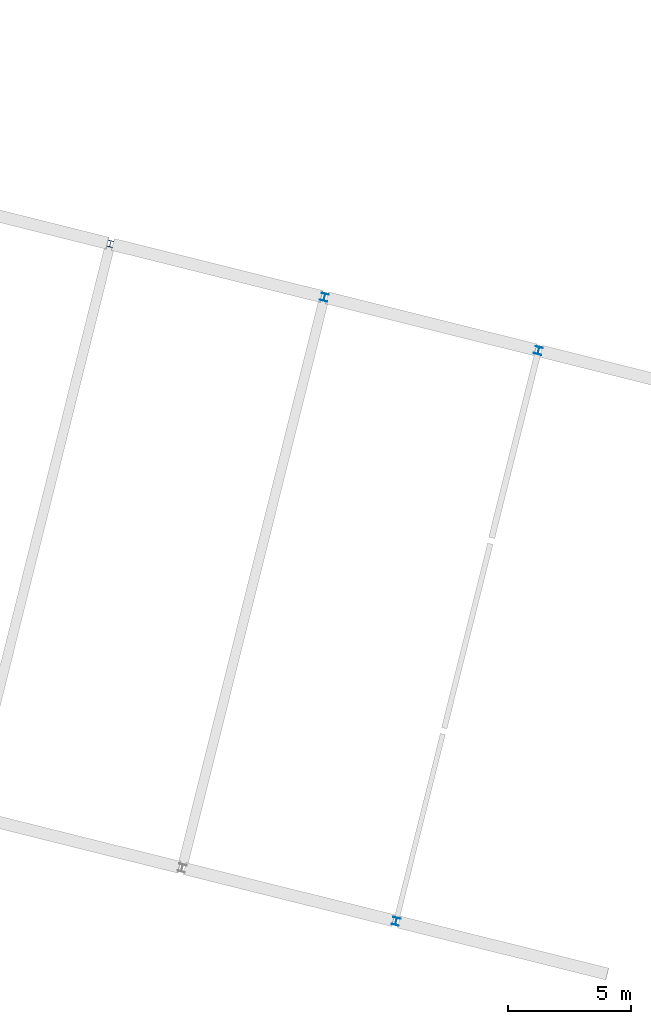
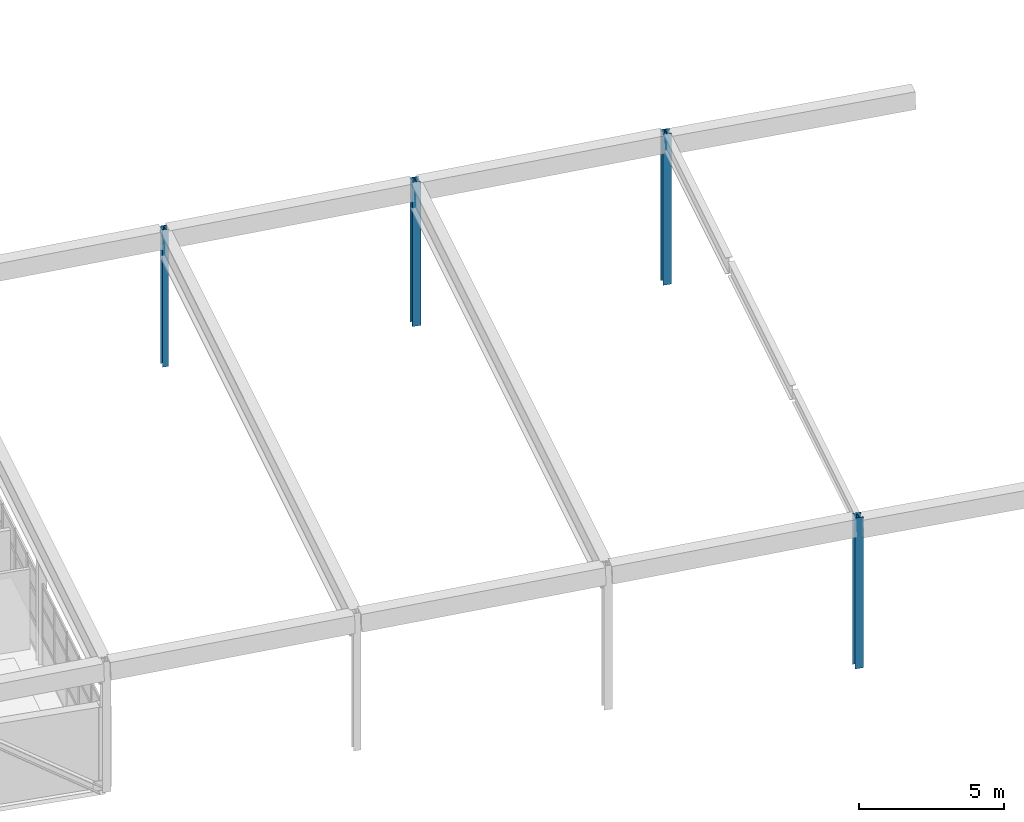
# One storey, part 5 of 27: 4 columns.
"""IFC4 building model written with IfcOpenShell, lengths in metres."""

from ifc_helpers import new_model, si_unit, direction, frame, origin, origin_2d, place, context, subcontext, project, spatial, i_section, extrude, material, material_profile, profile_set, type_object, element, save


model = new_model("IFC4")

# Units and contexts
model_context = context("Model", 3, precision=1e-05, world=origin(), true_north=direction((0.0, 1.0)))
body_context = subcontext(model_context, "Body", "Model", "MODEL_VIEW")
ifc_project = project(units=[si_unit("LENGTHUNIT", "METRE"), si_unit("AREAUNIT", "SQUARE_METRE"), si_unit("VOLUMEUNIT", "CUBIC_METRE"), si_unit("PLANEANGLEUNIT", "RADIAN"), si_unit("MASSUNIT", "GRAM", prefix="KILO")], contexts=[model_context])

# Site, building, storey
site_placement = place(None, origin())
site = spatial("IfcSite", under=ifc_project, at=site_placement, CompositionType="ELEMENT")
building_placement = place(site_placement, origin())
building = spatial("IfcBuilding", under=site, at=building_placement, Name="Vireo Bluff Cable Station", CompositionType="ELEMENT")
storey_placement = place(building_placement, frame((0.0, 0.0, 19.199951171875)))
storey = spatial("IfcBuildingStorey", under=building, at=storey_placement, Name="L04", CompositionType="ELEMENT", Elevation=19.199951171875)

# Columns
ifc_material = material(Name="Steel ASTM A992 Gr. 50", Category="steel")
ifc_material_profile_1 = material_profile(ifc_material, i_section(OverallWidth=0.304931640625, OverallDepth=0.306884765625, WebThickness=0.010009765625, FlangeThickness=0.015380859375, FilletRadius=0.012939453125, at=origin_2d()), Name="W12X65")
ifc_profile_set_1 = profile_set([ifc_material_profile_1], Name="Steel ASTM A992 Gr. 50")
column_type_1 = type_object("IfcColumnType", Name="ECOL-W12X65", PredefinedType="COLUMN", material=ifc_profile_set_1)
column_1_placement = place(storey_placement, frame((103.469482421875, 50.400634765625, 0.0), z_axis=(0.0, 0.0, 1.0), x_axis=(0.970295726276, -0.2419218956, 0.0)))
element("IfcColumn", 1, at=column_1_placement, inside=storey, type_object=column_type_1, Name="V1 L04 column 112", PredefinedType="COLUMN", context=body_context, shape_type="SweptSolid", body=[
    extrude(i_section(OverallWidth=0.304931640625, OverallDepth=0.306884765625, WebThickness=0.010009765625, FlangeThickness=0.015380859375, FilletRadius=0.012939453125, at=origin_2d()), origin(), (0.0, 0.0, 1.0), 6.068603515625),
])
for number, where, z_axis, x_axis, name in (
    (2, (106.39599609375, 24.936279296875, 0.0), (0.0, 0.0, 1.0), (0.970295726276, -0.2419218956, 0.0), "V1 L04 column 117"),
    (3, (112.2021484375, 48.223388671875, 0.0), (0.0, 0.0, 1.0), (0.970295726276, -0.2419218956, 0.0), "V1 L04 column 122"),
):
    element("IfcColumn", number, at=place(storey_placement, frame(where, z_axis=z_axis, x_axis=x_axis)), inside=storey, type_object=column_type_1, Name=name, PredefinedType="COLUMN", context=body_context, shape_type="SweptSolid", body=[
        extrude(i_section(OverallWidth=0.304931640625, OverallDepth=0.306884765625, WebThickness=0.010009765625, FlangeThickness=0.015380859375, FilletRadius=0.012939453125, at=origin_2d()), origin(), (0.0, 0.0, 1.0), 6.354248046875),
    ])
ifc_material_profile_2 = material_profile(ifc_material, i_section(OverallWidth=0.2041015625, OverallDepth=0.257080078125, WebThickness=0.0087890625, FlangeThickness=0.015625, FilletRadius=0.009033203125, at=origin_2d()), Name="W10X45")
ifc_profile_set_2 = profile_set([ifc_material_profile_2], Name="Steel ASTM A992 Gr. 50")
column_type_2 = type_object("IfcColumnType", Name="PIL-W10X45", PredefinedType="PILASTER", material=ifc_profile_set_2)
column_2_placement = place(storey_placement, frame((94.73681640625, 52.577880859375, 0.0), z_axis=(0.0, 0.0, 1.0), x_axis=(0.970295726276, -0.2419218956, 0.0)))
element("IfcColumn", 4, at=column_2_placement, inside=storey, type_object=column_type_2, Name="V1 L04 column 96", PredefinedType="PILASTER", context=body_context, shape_type="SweptSolid", body=[
    extrude(i_section(OverallWidth=0.2041015625, OverallDepth=0.257080078125, WebThickness=0.0087890625, FlangeThickness=0.015625, FilletRadius=0.009033203125, at=origin_2d()), origin(), (0.0, 0.0, 1.0), 5.782958984375),
])

save(model, "model.ifc")
